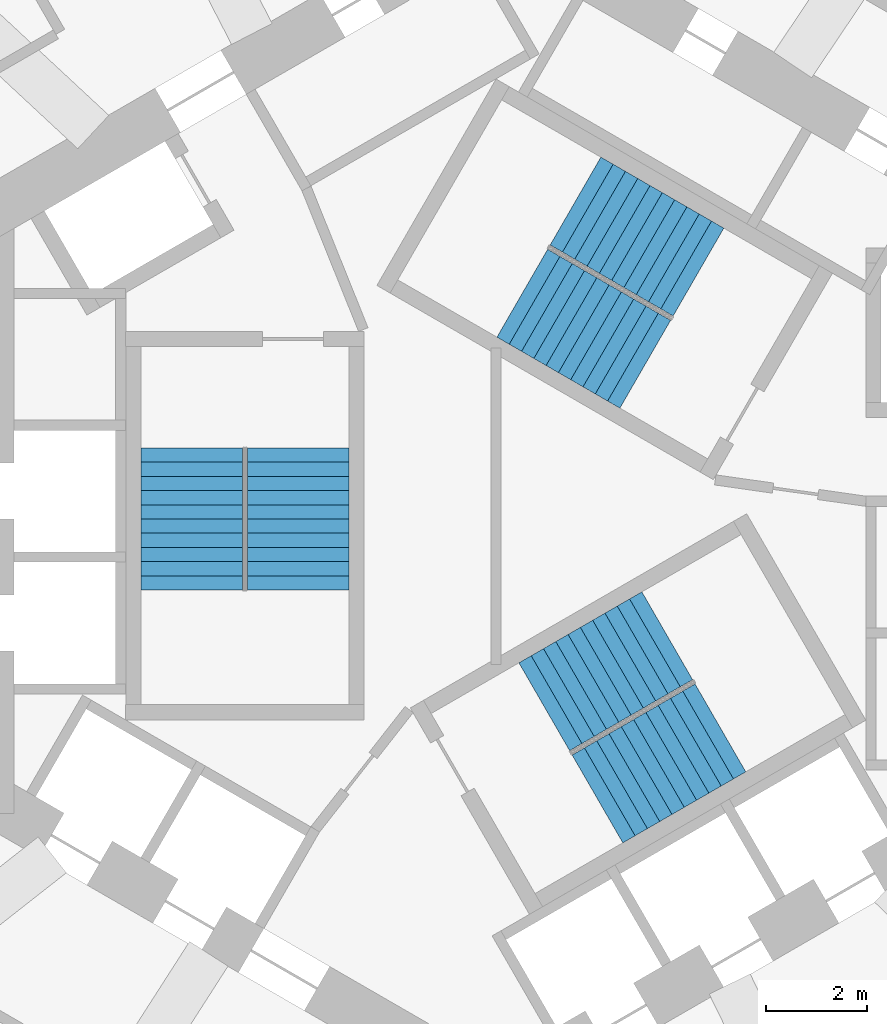
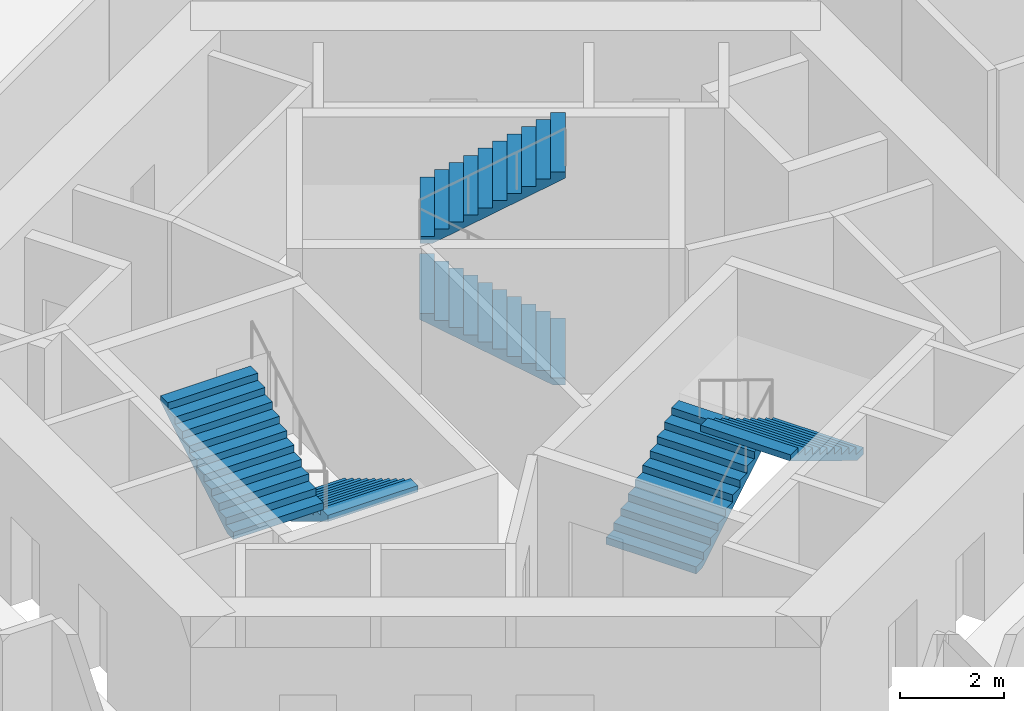
# One storey, part 8 of 10: 6 stair flights, 3 elements without a shape of their own.
"""IFC4 building model written with IfcOpenShell, lengths in metres."""

from ifc_helpers import new_model, si_unit, direction, frame, origin, place, context, subcontext, project, spatial, triangles, source, transform, mapped, material, type_object, element, aggregate, save


model = new_model("IFC4")

# Units and contexts
model_context = context("Model", 3, precision=1e-05, world=origin(), true_north=direction((0.0, 1.0)))
body_context = subcontext(model_context, "Body", "Model", "MODEL_VIEW")
ifc_project = project(units=[si_unit("LENGTHUNIT", "METRE"), si_unit("AREAUNIT", "SQUARE_METRE"), si_unit("VOLUMEUNIT", "CUBIC_METRE"), si_unit("PLANEANGLEUNIT", "RADIAN"), si_unit("MASSUNIT", "GRAM", prefix="KILO")], contexts=[model_context])

# Site, building, storey
site_placement = place(None, origin())
site = spatial("IfcSite", under=ifc_project, at=site_placement, CompositionType="ELEMENT")
building_placement = place(site_placement, origin())
building = spatial("IfcBuilding", under=site, at=building_placement, Name="Vanh Sen Convention Tower", CompositionType="ELEMENT")
storey_placement = place(building_placement, frame((0.0, 0.0, 165.10009765625)))
storey = spatial("IfcBuildingStorey", under=building, at=storey_placement, Name="L40", CompositionType="ELEMENT", Elevation=165.10009765625)

# Stair, stair flights
ifc_material_1 = material(Name="Concrete C50/60", Category="concrete")
stair_type_1 = type_object("IfcStairType", Name="Exit stair ST1 22 risers at 168.2", PredefinedType="HALF_TURN_STAIR", material=ifc_material_1)
stair_1_placement = place(storey_placement, origin())
stair_1 = element("IfcStair", 1, at=stair_1_placement, inside=storey, type_object=stair_type_1, Name="Exit stair ST1 L40", PredefinedType="HALF_TURN_STAIR")
ifc_material_2 = material(Name="Concrete C40/50", Category="concrete")
stair_flight_type = type_object("IfcStairFlightType", Name="Stair flight 2000", PredefinedType="STRAIGHT", material=ifc_material_2)
shared_shape = source(origin(), body_context, "Body", "Tessellation", [
    triangles([(0.24267578125, 1.0, 0.0), (0.0, 1.0, 0.0), (0.0, 1.0, 0.168212890625), (0.280029296875, 1.0, 0.168212890625), (0.280029296875, 1.0, 0.33642578125), (0.56005859375, 1.0, 0.33642578125), (0.56005859375, 1.0, 0.504638671875), (0.840087890625, 1.0, 0.504638671875), (0.840087890625, 1.0, 0.672607421875), (1.1201171875, 1.0, 0.672607421875), (1.1201171875, 1.0, 0.8408203125), (1.39990234375, 1.0, 0.8408203125), (1.39990234375, 1.0, 1.009033203125), (1.679931640625, 1.0, 1.009033203125), (1.679931640625, 1.0, 1.17724609375), (1.9599609375, 1.0, 1.17724609375), (1.9599609375, 1.0, 1.345458984375), (2.239990234375, 1.0, 1.345458984375), (2.239990234375, 1.0, 1.513671875), (2.52001953125, 1.0, 1.513671875), (2.52001953125, 1.0, 1.681884765625), (2.800048828125, 1.0, 1.681884765625), (2.800048828125, 1.0, 1.535888671875), (0.24267578125, -1.0, 0.0), (0.0, -1.0, 0.0), (0.0, -1.0, 0.168212890625), (0.280029296875, -1.0, 0.168212890625), (0.280029296875, -1.0, 0.33642578125), (0.56005859375, -1.0, 0.33642578125), (0.56005859375, -1.0, 0.504638671875), (0.840087890625, -1.0, 0.504638671875), (0.840087890625, -1.0, 0.672607421875), (1.1201171875, -1.0, 0.672607421875), (1.1201171875, -1.0, 0.8408203125), (1.39990234375, -1.0, 0.8408203125), (1.39990234375, -1.0, 1.009033203125), (1.679931640625, -1.0, 1.009033203125), (1.679931640625, -1.0, 1.17724609375), (1.9599609375, -1.0, 1.17724609375), (1.9599609375, -1.0, 1.345458984375), (2.239990234375, -1.0, 1.345458984375), (2.239990234375, -1.0, 1.513671875), (2.52001953125, -1.0, 1.513671875), (2.52001953125, -1.0, 1.681884765625), (2.800048828125, -1.0, 1.681884765625), (2.800048828125, -1.0, 1.535888671875), (0.0, 0.0400390625, 0.0), (0.0, 0.0390625, 0.0), (0.0, 0.0380859375, 0.0), (0.0, 0.037109375, 0.0), (0.0, 0.035888671875, 0.0), (0.0, 0.034912109375, 0.0), (0.0, 0.033935546875, 0.0), (0.0, 0.032958984375, 0.0), (0.0, 0.031982421875, 0.0), (0.0, 0.031005859375, 0.0), (0.0, 0.030029296875, 0.0), (0.0, 0.029052734375, 0.0), (0.0, 0.028076171875, 0.0), (0.0, 0.027099609375, 0.0), (0.0, 0.02587890625, 0.0), (0.0, 0.02490234375, 0.0), (0.0, 0.02392578125, 0.0), (0.0, 0.02294921875, 0.0), (0.0, 0.02197265625, 0.0), (0.0, 0.02099609375, 0.0), (0.0, 0.02001953125, 0.0), (0.0, 0.01904296875, 0.0), (0.0, 0.01806640625, 0.0), (0.0, 0.01708984375, 0.0), (0.0, 0.01611328125, 0.0), (0.0, 0.014892578125, 0.0), (0.0, 0.013916015625, 0.0), (0.0, 0.012939453125, 0.0), (0.0, 0.011962890625, 0.0), (0.0, 0.010986328125, 0.0), (0.0, 0.010009765625, 0.0), (0.0, 0.009033203125, 0.0), (0.0, 0.008056640625, 0.0), (0.0, 0.007080078125, 0.0), (0.0, 0.006103515625, 0.0), (0.0, 0.0048828125, 0.0), (0.0, 0.00390625, 0.0), (0.0, 0.0029296875, 0.0), (0.0, 0.001953125, 0.0), (0.0, 0.0009765625, 0.0), (0.0, 0.0, 0.0), (0.0, -0.0009765625, 0.0), (0.0, -0.001953125, 0.0), (0.0, -0.0029296875, 0.0), (0.0, -0.00390625, 0.0), (0.0, -0.0048828125, 0.0), (0.0, -0.006103515625, 0.0), (0.0, -0.007080078125, 0.0), (0.0, -0.008056640625, 0.0), (0.0, -0.009033203125, 0.0), (0.0, -0.010009765625, 0.0), (0.0, -0.010986328125, 0.0), (0.0, -0.011962890625, 0.0), (0.0, -0.012939453125, 0.0), (0.0, -0.013916015625, 0.0), (0.0, -0.014892578125, 0.0), (0.0, -0.01611328125, 0.0), (0.0, -0.01708984375, 0.0), (0.0, -0.01806640625, 0.0), (0.0, -0.01904296875, 0.0), (0.0, -0.02001953125, 0.0), (0.0, -0.02099609375, 0.0), (0.0, -0.02197265625, 0.0), (0.0, -0.02294921875, 0.0), (0.0, -0.02392578125, 0.0), (0.0, -0.02490234375, 0.0), (0.0, -0.02587890625, 0.0), (0.0, -0.027099609375, 0.0), (0.0, -0.028076171875, 0.0), (0.0, -0.029052734375, 0.0), (0.0, -0.030029296875, 0.0), (0.0, -0.031005859375, 0.0), (0.0, -0.031982421875, 0.0), (0.0, -0.032958984375, 0.0), (0.0, -0.033935546875, 0.0), (0.0, -0.034912109375, 0.0), (0.0, -0.035888671875, 0.0), (0.0, -0.037109375, 0.0), (0.0, -0.0380859375, 0.0), (0.0, -0.0390625, 0.0), (0.0, -0.0400390625, 0.0), (0.0, 0.0400390625, 0.168212890625), (0.0, 0.0390625, 0.168212890625), (0.0, 0.0380859375, 0.168212890625), (0.0, 0.037109375, 0.168212890625), (0.0, 0.035888671875, 0.168212890625), (0.0, 0.034912109375, 0.168212890625), (0.0, 0.033935546875, 0.168212890625), (0.0, 0.032958984375, 0.168212890625), (0.0, 0.031982421875, 0.168212890625), (0.0, 0.031005859375, 0.168212890625), (0.0, 0.030029296875, 0.168212890625), (0.0, 0.029052734375, 0.168212890625), (0.0, 0.028076171875, 0.168212890625), (0.0, 0.027099609375, 0.168212890625), (0.0, 0.02587890625, 0.168212890625), (0.0, 0.02490234375, 0.168212890625), (0.0, 0.02392578125, 0.168212890625), (0.0, 0.02294921875, 0.168212890625), (0.0, 0.02197265625, 0.168212890625), (0.0, 0.02099609375, 0.168212890625), (0.0, 0.02001953125, 0.168212890625), (0.0, 0.01904296875, 0.168212890625), (0.0, 0.01806640625, 0.168212890625), (0.0, 0.01708984375, 0.168212890625), (0.0, 0.01611328125, 0.168212890625), (0.0, 0.014892578125, 0.168212890625), (0.0, 0.013916015625, 0.168212890625), (0.0, 0.012939453125, 0.168212890625), (0.0, 0.011962890625, 0.168212890625), (0.0, 0.010986328125, 0.168212890625), (0.0, 0.010009765625, 0.168212890625), (0.0, 0.009033203125, 0.168212890625), (0.0, 0.008056640625, 0.168212890625), (0.0, 0.007080078125, 0.168212890625), (0.0, 0.006103515625, 0.168212890625), (0.0, 0.0048828125, 0.168212890625), (0.0, 0.00390625, 0.168212890625), (0.0, 0.0029296875, 0.168212890625), (0.0, 0.001953125, 0.168212890625), (0.0, 0.0009765625, 0.168212890625), (0.0, 0.0, 0.168212890625), (0.0, -0.0009765625, 0.168212890625), (0.0, -0.001953125, 0.168212890625), (0.0, -0.0029296875, 0.168212890625), (0.0, -0.00390625, 0.168212890625), (0.0, -0.0048828125, 0.168212890625), (0.0, -0.006103515625, 0.168212890625), (0.0, -0.007080078125, 0.168212890625), (0.0, -0.008056640625, 0.168212890625), (0.0, -0.009033203125, 0.168212890625), (0.0, -0.010009765625, 0.168212890625), (0.0, -0.010986328125, 0.168212890625), (0.0, -0.011962890625, 0.168212890625), (0.0, -0.012939453125, 0.168212890625), (0.0, -0.013916015625, 0.168212890625), (0.0, -0.014892578125, 0.168212890625), (0.0, -0.01611328125, 0.168212890625), (0.0, -0.01708984375, 0.168212890625), (0.0, -0.01806640625, 0.168212890625), (0.0, -0.01904296875, 0.168212890625), (0.0, -0.02001953125, 0.168212890625), (0.0, -0.02099609375, 0.168212890625), (0.0, -0.02197265625, 0.168212890625), (0.0, -0.02294921875, 0.168212890625), (0.0, -0.02392578125, 0.168212890625), (0.0, -0.02490234375, 0.168212890625), (0.0, -0.02587890625, 0.168212890625), (0.0, -0.027099609375, 0.168212890625), (0.0, -0.028076171875, 0.168212890625), (0.0, -0.029052734375, 0.168212890625), (0.0, -0.030029296875, 0.168212890625), (0.0, -0.031005859375, 0.168212890625), (0.0, -0.031982421875, 0.168212890625), (0.0, -0.032958984375, 0.168212890625), (0.0, -0.033935546875, 0.168212890625), (0.0, -0.034912109375, 0.168212890625), (0.0, -0.035888671875, 0.168212890625), (0.0, -0.037109375, 0.168212890625), (0.0, -0.0380859375, 0.168212890625), (0.0, -0.0390625, 0.168212890625), (0.0, -0.0400390625, 0.168212890625), (0.280029296875, 0.0, 0.168212890625), (0.280029296875, 0.0, 0.33642578125), (0.56005859375, 0.0, 0.33642578125), (0.56005859375, 0.0, 0.504638671875), (0.840087890625, 0.0, 0.504638671875), (0.840087890625, 0.0, 0.672607421875), (1.1201171875, 0.0, 0.672607421875), (1.1201171875, 0.0, 0.8408203125), (1.39990234375, 0.0, 0.8408203125), (1.39990234375, 0.0, 1.009033203125), (1.679931640625, 0.0, 1.009033203125), (1.679931640625, 0.0, 1.17724609375), (1.9599609375, 0.0, 1.17724609375), (1.9599609375, 0.0, 1.345458984375), (2.239990234375, 0.0, 1.345458984375), (2.239990234375, 0.0, 1.513671875), (2.52001953125, 0.0, 1.513671875), (2.52001953125, 0.0, 1.681884765625), (2.800048828125, 0.0400390625, 1.681884765625), (2.800048828125, 0.0390625, 1.681884765625), (2.800048828125, 0.0380859375, 1.681884765625), (2.800048828125, 0.037109375, 1.681884765625), (2.800048828125, 0.035888671875, 1.681884765625), (2.800048828125, 0.034912109375, 1.681884765625), (2.800048828125, 0.033935546875, 1.681884765625), (2.800048828125, 0.032958984375, 1.681884765625), (2.800048828125, 0.031982421875, 1.681884765625), (2.800048828125, 0.031005859375, 1.681884765625), (2.800048828125, 0.030029296875, 1.681884765625), (2.800048828125, 0.029052734375, 1.681884765625), (2.800048828125, 0.028076171875, 1.681884765625), (2.800048828125, 0.027099609375, 1.681884765625), (2.800048828125, 0.02587890625, 1.681884765625), (2.800048828125, 0.02490234375, 1.681884765625), (2.800048828125, 0.02392578125, 1.681884765625), (2.800048828125, 0.02294921875, 1.681884765625), (2.800048828125, 0.02197265625, 1.681884765625), (2.800048828125, 0.02099609375, 1.681884765625), (2.800048828125, 0.02001953125, 1.681884765625), (2.800048828125, 0.01904296875, 1.681884765625), (2.800048828125, 0.01806640625, 1.681884765625), (2.800048828125, 0.01708984375, 1.681884765625), (2.800048828125, 0.01611328125, 1.681884765625), (2.800048828125, 0.014892578125, 1.681884765625), (2.800048828125, 0.013916015625, 1.681884765625), (2.800048828125, 0.012939453125, 1.681884765625), (2.800048828125, 0.011962890625, 1.681884765625), (2.800048828125, 0.010986328125, 1.681884765625), (2.800048828125, 0.010009765625, 1.681884765625), (2.800048828125, 0.009033203125, 1.681884765625), (2.800048828125, 0.008056640625, 1.681884765625), (2.800048828125, 0.007080078125, 1.681884765625), (2.800048828125, 0.006103515625, 1.681884765625), (2.800048828125, 0.0048828125, 1.681884765625), (2.800048828125, 0.00390625, 1.681884765625), (2.800048828125, 0.0029296875, 1.681884765625), (2.800048828125, 0.001953125, 1.681884765625), (2.800048828125, 0.0009765625, 1.681884765625), (2.800048828125, 0.0, 1.681884765625), (2.800048828125, -0.0009765625, 1.681884765625), (2.800048828125, -0.001953125, 1.681884765625), (2.800048828125, -0.0029296875, 1.681884765625), (2.800048828125, -0.00390625, 1.681884765625), (2.800048828125, -0.0048828125, 1.681884765625), (2.800048828125, -0.006103515625, 1.681884765625), (2.800048828125, -0.007080078125, 1.681884765625), (2.800048828125, -0.008056640625, 1.681884765625), (2.800048828125, -0.009033203125, 1.681884765625), (2.800048828125, -0.010009765625, 1.681884765625), (2.800048828125, -0.010986328125, 1.681884765625), (2.800048828125, -0.011962890625, 1.681884765625), (2.800048828125, -0.012939453125, 1.681884765625), (2.800048828125, -0.013916015625, 1.681884765625), (2.800048828125, -0.014892578125, 1.681884765625), (2.800048828125, -0.01611328125, 1.681884765625), (2.800048828125, -0.01708984375, 1.681884765625), (2.800048828125, -0.01806640625, 1.681884765625), (2.800048828125, -0.01904296875, 1.681884765625), (2.800048828125, -0.02001953125, 1.681884765625), (2.800048828125, -0.02099609375, 1.681884765625), (2.800048828125, -0.02197265625, 1.681884765625), (2.800048828125, -0.02294921875, 1.681884765625), (2.800048828125, -0.02392578125, 1.681884765625), (2.800048828125, -0.02490234375, 1.681884765625), (2.800048828125, -0.02587890625, 1.681884765625), (2.800048828125, -0.027099609375, 1.681884765625), (2.800048828125, -0.028076171875, 1.681884765625), (2.800048828125, -0.029052734375, 1.681884765625), (2.800048828125, -0.030029296875, 1.681884765625), (2.800048828125, -0.031005859375, 1.681884765625), (2.800048828125, -0.031982421875, 1.681884765625), (2.800048828125, -0.032958984375, 1.681884765625), (2.800048828125, -0.033935546875, 1.681884765625), (2.800048828125, -0.034912109375, 1.681884765625), (2.800048828125, -0.035888671875, 1.681884765625), (2.800048828125, -0.037109375, 1.681884765625), (2.800048828125, -0.0380859375, 1.681884765625), (2.800048828125, -0.0390625, 1.681884765625), (2.800048828125, -0.0400390625, 1.681884765625), (2.800048828125, 0.0400390625, 1.535888671875), (2.800048828125, 0.0390625, 1.535888671875), (2.800048828125, 0.0380859375, 1.535888671875), (2.800048828125, 0.037109375, 1.535888671875), (2.800048828125, 0.035888671875, 1.535888671875), (2.800048828125, 0.034912109375, 1.535888671875), (2.800048828125, 0.033935546875, 1.535888671875), (2.800048828125, 0.032958984375, 1.535888671875), (2.800048828125, 0.031982421875, 1.535888671875), (2.800048828125, 0.031005859375, 1.535888671875), (2.800048828125, 0.030029296875, 1.535888671875), (2.800048828125, 0.029052734375, 1.535888671875), (2.800048828125, 0.028076171875, 1.535888671875), (2.800048828125, 0.027099609375, 1.535888671875), (2.800048828125, 0.02587890625, 1.535888671875), (2.800048828125, 0.02490234375, 1.535888671875), (2.800048828125, 0.02392578125, 1.535888671875), (2.800048828125, 0.02294921875, 1.535888671875), (2.800048828125, 0.02197265625, 1.535888671875), (2.800048828125, 0.02099609375, 1.535888671875), (2.800048828125, 0.02001953125, 1.535888671875), (2.800048828125, 0.01904296875, 1.535888671875), (2.800048828125, 0.01806640625, 1.535888671875), (2.800048828125, 0.01708984375, 1.535888671875), (2.800048828125, 0.01611328125, 1.535888671875), (2.800048828125, 0.014892578125, 1.535888671875), (2.800048828125, 0.013916015625, 1.535888671875), (2.800048828125, 0.012939453125, 1.535888671875), (2.800048828125, 0.011962890625, 1.535888671875), (2.800048828125, 0.010986328125, 1.535888671875), (2.800048828125, 0.010009765625, 1.535888671875), (2.800048828125, 0.009033203125, 1.535888671875), (2.800048828125, 0.008056640625, 1.535888671875), (2.800048828125, 0.007080078125, 1.535888671875), (2.800048828125, 0.006103515625, 1.535888671875), (2.800048828125, 0.0048828125, 1.535888671875), (2.800048828125, 0.00390625, 1.535888671875), (2.800048828125, 0.0029296875, 1.535888671875), (2.800048828125, 0.001953125, 1.535888671875), (2.800048828125, 0.0009765625, 1.535888671875), (2.800048828125, 0.0, 1.535888671875), (2.800048828125, -0.0009765625, 1.535888671875), (2.800048828125, -0.001953125, 1.535888671875), (2.800048828125, -0.0029296875, 1.535888671875), (2.800048828125, -0.00390625, 1.535888671875), (2.800048828125, -0.0048828125, 1.535888671875), (2.800048828125, -0.006103515625, 1.535888671875), (2.800048828125, -0.007080078125, 1.535888671875), (2.800048828125, -0.008056640625, 1.535888671875), (2.800048828125, -0.009033203125, 1.535888671875), (2.800048828125, -0.010009765625, 1.535888671875), (2.800048828125, -0.010986328125, 1.535888671875), (2.800048828125, -0.011962890625, 1.535888671875), (2.800048828125, -0.012939453125, 1.535888671875), (2.800048828125, -0.013916015625, 1.535888671875), (2.800048828125, -0.014892578125, 1.535888671875), (2.800048828125, -0.01611328125, 1.535888671875), (2.800048828125, -0.01708984375, 1.535888671875), (2.800048828125, -0.01806640625, 1.535888671875), (2.800048828125, -0.01904296875, 1.535888671875), (2.800048828125, -0.02001953125, 1.535888671875), (2.800048828125, -0.02099609375, 1.535888671875), (2.800048828125, -0.02197265625, 1.535888671875), (2.800048828125, -0.02294921875, 1.535888671875), (2.800048828125, -0.02392578125, 1.535888671875), (2.800048828125, -0.02490234375, 1.535888671875), (2.800048828125, -0.02587890625, 1.535888671875), (2.800048828125, -0.027099609375, 1.535888671875), (2.800048828125, -0.028076171875, 1.535888671875), (2.800048828125, -0.029052734375, 1.535888671875), (2.800048828125, -0.030029296875, 1.535888671875), (2.800048828125, -0.031005859375, 1.535888671875), (2.800048828125, -0.031982421875, 1.535888671875), (2.800048828125, -0.032958984375, 1.535888671875), (2.800048828125, -0.033935546875, 1.535888671875), (2.800048828125, -0.034912109375, 1.535888671875), (2.800048828125, -0.035888671875, 1.535888671875), (2.800048828125, -0.037109375, 1.535888671875), (2.800048828125, -0.0380859375, 1.535888671875), (2.800048828125, -0.0390625, 1.535888671875), (2.800048828125, -0.0400390625, 1.535888671875), (0.24267578125, 0.0, 0.0)], [[1, 2, 3], [1, 3, 4], [4, 5, 6], [1, 4, 6], [6, 7, 8], [1, 6, 8], [8, 9, 10], [1, 8, 10], [10, 11, 12], [1, 10, 12], [12, 13, 14], [1, 12, 14], [14, 15, 16], [1, 14, 16], [16, 17, 18], [1, 16, 18], [18, 19, 20], [1, 18, 20], [20, 21, 22], [1, 20, 22], [22, 23, 1], [24, 26, 25], [24, 27, 26], [27, 29, 28], [24, 29, 27], [29, 31, 30], [24, 31, 29], [31, 33, 32], [24, 33, 31], [33, 35, 34], [24, 35, 33], [35, 37, 36], [24, 37, 35], [37, 39, 38], [24, 39, 37], [39, 41, 40], [24, 41, 39], [41, 43, 42], [24, 43, 41], [43, 45, 44], [24, 45, 43], [45, 24, 46], [2, 128, 3], [2, 47, 128], [47, 129, 128], [47, 48, 129], [48, 130, 129], [48, 49, 130], [49, 131, 130], [49, 50, 131], [50, 132, 131], [50, 51, 132], [51, 133, 132], [51, 52, 133], [52, 134, 133], [52, 53, 134], [53, 135, 134], [53, 54, 135], [54, 136, 135], [54, 55, 136], [55, 137, 136], [55, 56, 137], [56, 138, 137], [56, 57, 138], [57, 139, 138], [57, 58, 139], [58, 140, 139], [58, 59, 140], [59, 141, 140], [59, 60, 141], [60, 142, 141], [60, 61, 142], [61, 143, 142], [61, 62, 143], [62, 144, 143], [62, 63, 144], [63, 145, 144], [63, 64, 145], [64, 146, 145], [64, 65, 146], [65, 147, 146], [65, 66, 147], [66, 148, 147], [66, 67, 148], [67, 149, 148], [67, 68, 149], [68, 150, 149], [68, 69, 150], [69, 151, 150], [69, 70, 151], [70, 152, 151], [70, 71, 152], [71, 153, 152], [71, 72, 153], [72, 154, 153], [72, 73, 154], [73, 155, 154], [73, 74, 155], [74, 156, 155], [74, 75, 156], [75, 157, 156], [75, 76, 157], [76, 158, 157], [76, 77, 158], [77, 159, 158], [77, 78, 159], [78, 160, 159], [78, 79, 160], [79, 161, 160], [79, 80, 161], [80, 162, 161], [80, 81, 162], [81, 163, 162], [81, 82, 163], [82, 164, 163], [82, 83, 164], [83, 165, 164], [83, 84, 165], [84, 166, 165], [84, 85, 166], [85, 167, 166], [85, 86, 167], [86, 168, 167], [86, 87, 168], [87, 88, 168], [168, 88, 169], [88, 89, 169], [169, 89, 170], [89, 90, 170], [170, 90, 171], [90, 91, 171], [171, 91, 172], [91, 92, 172], [172, 92, 173], [92, 93, 173], [173, 93, 174], [93, 94, 174], [174, 94, 175], [94, 95, 175], [175, 95, 176], [95, 96, 176], [176, 96, 177], [96, 97, 177], [177, 97, 178], [97, 98, 178], [178, 98, 179], [98, 99, 179], [179, 99, 180], [99, 100, 180], [180, 100, 181], [100, 101, 181], [181, 101, 182], [101, 102, 182], [182, 102, 183], [102, 103, 183], [183, 103, 184], [103, 104, 184], [184, 104, 185], [104, 105, 185], [185, 105, 186], [105, 106, 186], [186, 106, 187], [106, 107, 187], [187, 107, 188], [107, 108, 188], [188, 108, 189], [108, 109, 189], [189, 109, 190], [109, 110, 190], [190, 110, 191], [110, 111, 191], [191, 111, 192], [111, 112, 192], [192, 112, 193], [112, 113, 193], [193, 113, 194], [113, 114, 194], [194, 114, 195], [114, 115, 195], [195, 115, 196], [115, 116, 196], [196, 116, 197], [116, 117, 197], [197, 117, 198], [117, 118, 198], [198, 118, 199], [118, 119, 199], [199, 119, 200], [119, 120, 200], [200, 120, 201], [120, 121, 201], [201, 121, 202], [121, 122, 202], [202, 122, 203], [122, 123, 203], [203, 123, 204], [123, 124, 204], [204, 124, 205], [124, 125, 205], [205, 125, 206], [125, 126, 206], [206, 126, 207], [126, 127, 207], [207, 127, 208], [127, 25, 208], [208, 25, 26], [4, 3, 128], [4, 128, 129], [4, 129, 130], [4, 130, 131], [4, 131, 132], [4, 132, 133], [4, 133, 134], [4, 134, 135], [4, 135, 136], [4, 136, 137], [4, 137, 138], [4, 138, 139], [4, 139, 140], [4, 140, 141], [4, 141, 142], [4, 142, 143], [4, 143, 144], [4, 144, 145], [4, 145, 146], [4, 146, 147], [4, 147, 148], [4, 148, 149], [4, 149, 150], [4, 150, 151], [4, 151, 152], [4, 152, 153], [4, 153, 154], [4, 154, 155], [4, 155, 156], [4, 156, 157], [4, 157, 158], [4, 158, 159], [4, 159, 160], [4, 160, 161], [4, 161, 162], [4, 162, 163], [4, 163, 164], [4, 164, 165], [4, 165, 166], [4, 166, 167], [4, 167, 168], [27, 168, 169], [27, 169, 170], [27, 170, 171], [27, 171, 172], [27, 172, 173], [27, 173, 174], [27, 174, 175], [27, 175, 176], [27, 176, 177], [27, 177, 178], [27, 178, 179], [27, 179, 180], [27, 180, 181], [27, 181, 182], [27, 182, 183], [27, 183, 184], [27, 184, 185], [27, 185, 186], [27, 186, 187], [27, 187, 188], [27, 188, 189], [27, 189, 190], [27, 190, 191], [27, 191, 192], [27, 192, 193], [27, 193, 194], [27, 194, 195], [27, 195, 196], [27, 196, 197], [27, 197, 198], [27, 198, 199], [27, 199, 200], [27, 200, 201], [27, 201, 202], [27, 202, 203], [27, 203, 204], [27, 204, 205], [27, 205, 206], [27, 206, 207], [27, 207, 208], [27, 208, 26], [4, 168, 209], [27, 209, 168], [4, 210, 5], [4, 209, 210], [209, 27, 210], [210, 27, 28], [5, 211, 6], [5, 210, 211], [210, 28, 211], [211, 28, 29], [6, 212, 7], [6, 211, 212], [211, 29, 212], [212, 29, 30], [7, 213, 8], [7, 212, 213], [212, 30, 213], [213, 30, 31], [8, 214, 9], [8, 213, 214], [213, 31, 214], [214, 31, 32], [9, 215, 10], [9, 214, 215], [214, 32, 215], [215, 32, 33], [10, 216, 11], [10, 215, 216], [215, 33, 216], [216, 33, 34], [11, 217, 12], [11, 216, 217], [216, 34, 217], [217, 34, 35], [12, 218, 13], [12, 217, 218], [217, 35, 218], [218, 35, 36], [13, 219, 14], [13, 218, 219], [218, 36, 219], [219, 36, 37], [14, 220, 15], [14, 219, 220], [219, 37, 220], [220, 37, 38], [15, 221, 16], [15, 220, 221], [220, 38, 221], [221, 38, 39], [16, 222, 17], [16, 221, 222], [221, 39, 222], [222, 39, 40], [17, 223, 18], [17, 222, 223], [222, 40, 223], [223, 40, 41], [18, 224, 19], [18, 223, 224], [223, 41, 224], [224, 41, 42], [19, 225, 20], [19, 224, 225], [224, 42, 225], [225, 42, 43], [20, 226, 21], [20, 225, 226], [225, 43, 226], [226, 43, 44], [21, 227, 22], [21, 228, 227], [21, 229, 228], [21, 230, 229], [21, 231, 230], [21, 232, 231], [21, 233, 232], [21, 234, 233], [21, 235, 234], [21, 236, 235], [21, 237, 236], [21, 238, 237], [21, 239, 238], [21, 240, 239], [21, 241, 240], [21, 242, 241], [21, 243, 242], [21, 244, 243], [21, 245, 244], [21, 246, 245], [21, 247, 246], [21, 248, 247], [21, 249, 248], [21, 250, 249], [21, 251, 250], [21, 252, 251], [21, 253, 252], [21, 254, 253], [21, 255, 254], [21, 256, 255], [21, 257, 256], [21, 258, 257], [21, 259, 258], [21, 260, 259], [21, 261, 260], [21, 262, 261], [21, 263, 262], [21, 264, 263], [21, 265, 264], [21, 266, 265], [21, 267, 266], [44, 268, 267], [44, 269, 268], [44, 270, 269], [44, 271, 270], [44, 272, 271], [44, 273, 272], [44, 274, 273], [44, 275, 274], [44, 276, 275], [44, 277, 276], [44, 278, 277], [44, 279, 278], [44, 280, 279], [44, 281, 280], [44, 282, 281], [44, 283, 282], [44, 284, 283], [44, 285, 284], [44, 286, 285], [44, 287, 286], [44, 288, 287], [44, 289, 288], [44, 290, 289], [44, 291, 290], [44, 292, 291], [44, 293, 292], [44, 294, 293], [44, 295, 294], [44, 296, 295], [44, 297, 296], [44, 298, 297], [44, 299, 298], [44, 300, 299], [44, 301, 300], [44, 302, 301], [44, 303, 302], [44, 304, 303], [44, 305, 304], [44, 306, 305], [44, 307, 306], [44, 45, 307], [21, 226, 267], [44, 267, 226], [22, 308, 23], [22, 227, 308], [227, 309, 308], [227, 228, 309], [228, 310, 309], [228, 229, 310], [229, 311, 310], [229, 230, 311], [230, 312, 311], [230, 231, 312], [231, 313, 312], [231, 232, 313], [232, 314, 313], [232, 233, 314], [233, 315, 314], [233, 234, 315], [234, 316, 315], [234, 235, 316], [235, 317, 316], [235, 236, 317], [236, 318, 317], [236, 237, 318], [237, 319, 318], [237, 238, 319], [238, 320, 319], [238, 239, 320], [239, 321, 320], [239, 240, 321], [240, 322, 321], [240, 241, 322], [241, 323, 322], [241, 242, 323], [242, 324, 323], [242, 243, 324], [243, 325, 324], [243, 244, 325], [244, 326, 325], [244, 245, 326], [245, 327, 326], [245, 246, 327], [246, 328, 327], [246, 247, 328], [247, 329, 328], [247, 248, 329], [248, 330, 329], [248, 249, 330], [249, 331, 330], [249, 250, 331], [250, 332, 331], [250, 251, 332], [251, 333, 332], [251, 252, 333], [252, 334, 333], [252, 253, 334], [253, 335, 334], [253, 254, 335], [254, 336, 335], [254, 255, 336], [255, 337, 336], [255, 256, 337], [256, 338, 337], [256, 257, 338], [257, 339, 338], [257, 258, 339], [258, 340, 339], [258, 259, 340], [259, 341, 340], [259, 260, 341], [260, 342, 341], [260, 261, 342], [261, 343, 342], [261, 262, 343], [262, 344, 343], [262, 263, 344], [263, 345, 344], [263, 264, 345], [264, 346, 345], [264, 265, 346], [265, 347, 346], [265, 266, 347], [266, 348, 347], [266, 267, 348], [267, 268, 348], [348, 268, 349], [268, 269, 349], [349, 269, 350], [269, 270, 350], [350, 270, 351], [270, 271, 351], [351, 271, 352], [271, 272, 352], [352, 272, 353], [272, 273, 353], [353, 273, 354], [273, 274, 354], [354, 274, 355], [274, 275, 355], [355, 275, 356], [275, 276, 356], [356, 276, 357], [276, 277, 357], [357, 277, 358], [277, 278, 358], [358, 278, 359], [278, 279, 359], [359, 279, 360], [279, 280, 360], [360, 280, 361], [280, 281, 361], [361, 281, 362], [281, 282, 362], [362, 282, 363], [282, 283, 363], [363, 283, 364], [283, 284, 364], [364, 284, 365], [284, 285, 365], [365, 285, 366], [285, 286, 366], [366, 286, 367], [286, 287, 367], [367, 287, 368], [287, 288, 368], [368, 288, 369], [288, 289, 369], [369, 289, 370], [289, 290, 370], [370, 290, 371], [290, 291, 371], [371, 291, 372], [291, 292, 372], [372, 292, 373], [292, 293, 373], [373, 293, 374], [293, 294, 374], [374, 294, 375], [294, 295, 375], [375, 295, 376], [295, 296, 376], [376, 296, 377], [296, 297, 377], [377, 297, 378], [297, 298, 378], [378, 298, 379], [298, 299, 379], [379, 299, 380], [299, 300, 380], [380, 300, 381], [300, 301, 381], [381, 301, 382], [301, 302, 382], [382, 302, 383], [302, 303, 383], [383, 303, 384], [303, 304, 384], [384, 304, 385], [304, 305, 385], [385, 305, 386], [305, 306, 386], [386, 306, 387], [306, 307, 387], [387, 307, 388], [307, 45, 388], [388, 45, 46], [1, 23, 308], [1, 308, 309], [1, 309, 310], [1, 310, 311], [1, 311, 312], [1, 312, 313], [1, 313, 314], [1, 314, 315], [1, 315, 316], [1, 316, 317], [1, 317, 318], [1, 318, 319], [1, 319, 320], [1, 320, 321], [1, 321, 322], [1, 322, 323], [1, 323, 324], [1, 324, 325], [1, 325, 326], [1, 326, 327], [1, 327, 328], [1, 328, 329], [1, 329, 330], [1, 330, 331], [1, 331, 332], [1, 332, 333], [1, 333, 334], [1, 334, 335], [1, 335, 336], [1, 336, 337], [1, 337, 338], [1, 338, 339], [1, 339, 340], [1, 340, 341], [1, 341, 342], [1, 342, 343], [1, 343, 344], [1, 344, 345], [1, 345, 346], [1, 346, 347], [1, 347, 348], [24, 348, 349], [24, 349, 350], [24, 350, 351], [24, 351, 352], [24, 352, 353], [24, 353, 354], [24, 354, 355], [24, 355, 356], [24, 356, 357], [24, 357, 358], [24, 358, 359], [24, 359, 360], [24, 360, 361], [24, 361, 362], [24, 362, 363], [24, 363, 364], [24, 364, 365], [24, 365, 366], [24, 366, 367], [24, 367, 368], [24, 368, 369], [24, 369, 370], [24, 370, 371], [24, 371, 372], [24, 372, 373], [24, 373, 374], [24, 374, 375], [24, 375, 376], [24, 376, 377], [24, 377, 378], [24, 378, 379], [24, 379, 380], [24, 380, 381], [24, 381, 382], [24, 382, 383], [24, 383, 384], [24, 384, 385], [24, 385, 386], [24, 386, 387], [24, 387, 388], [24, 388, 46], [1, 348, 389], [24, 389, 348], [1, 47, 2], [1, 48, 47], [1, 49, 48], [1, 50, 49], [1, 51, 50], [1, 52, 51], [1, 53, 52], [1, 54, 53], [1, 55, 54], [1, 56, 55], [1, 57, 56], [1, 58, 57], [1, 59, 58], [1, 60, 59], [1, 61, 60], [1, 62, 61], [1, 63, 62], [1, 64, 63], [1, 65, 64], [1, 66, 65], [1, 67, 66], [1, 68, 67], [1, 69, 68], [1, 70, 69], [1, 71, 70], [1, 72, 71], [1, 73, 72], [1, 74, 73], [1, 75, 74], [1, 76, 75], [1, 77, 76], [1, 78, 77], [1, 79, 78], [1, 80, 79], [1, 81, 80], [1, 82, 81], [1, 83, 82], [1, 84, 83], [1, 85, 84], [1, 86, 85], [1, 87, 86], [24, 88, 87], [24, 89, 88], [24, 90, 89], [24, 91, 90], [24, 92, 91], [24, 93, 92], [24, 94, 93], [24, 95, 94], [24, 96, 95], [24, 97, 96], [24, 98, 97], [24, 99, 98], [24, 100, 99], [24, 101, 100], [24, 102, 101], [24, 103, 102], [24, 104, 103], [24, 105, 104], [24, 106, 105], [24, 107, 106], [24, 108, 107], [24, 109, 108], [24, 110, 109], [24, 111, 110], [24, 112, 111], [24, 113, 112], [24, 114, 113], [24, 115, 114], [24, 116, 115], [24, 117, 116], [24, 118, 117], [24, 119, 118], [24, 120, 119], [24, 121, 120], [24, 122, 121], [24, 123, 122], [24, 124, 123], [24, 125, 124], [24, 126, 125], [24, 127, 126], [24, 25, 127], [1, 389, 87], [24, 87, 389]], closed=True),
])
stair_flight_1_placement = place(storey_placement, frame((2.94580078125, 2.802490234375, 0.0), z_axis=(0.0, 0.0, 1.0), x_axis=(-0.866025403784, 0.5, 0.0)))
stair_flight_1 = element("IfcStairFlight", 2, at=stair_flight_1_placement, type_object=stair_flight_type, Name="ST1 flight 1", NumberOfRisers=11, NumberOfTreads=10, PredefinedType="STRAIGHT", RiserHeight=0.168181818, TreadLength=0.28, context=body_context, shape_type="MappedRepresentation", body=[
    mapped(shared_shape, transform((0.0, 0.0, 0.0))),
])
stair_flight_2_placement = place(storey_placement, frame((1.571044921875, 6.021240234375, 1.849853515625), z_axis=(0.0, 0.0, 1.0), x_axis=(0.866025403784, -0.5, 0.0)))
stair_flight_2 = element("IfcStairFlight", 3, at=stair_flight_2_placement, type_object=stair_flight_type, Name="ST1 flight 2", NumberOfRisers=11, NumberOfTreads=10, PredefinedType="STRAIGHT", RiserHeight=0.168181818, TreadLength=0.28, context=body_context, shape_type="MappedRepresentation", body=[
    mapped(shared_shape, transform((0.0, 0.0, 0.0))),
])
aggregate(stair_1, [stair_flight_1, stair_flight_2])

stair_type_2 = type_object("IfcStairType", Name="Exit stair ST2 22 risers at 168.2", PredefinedType="HALF_TURN_STAIR", material=ifc_material_1)
stair_2_placement = place(storey_placement, origin())
stair_2 = element("IfcStair", 4, at=stair_2_placement, inside=storey, type_object=stair_type_2, Name="Exit stair ST2 L40", PredefinedType="HALF_TURN_STAIR")
stair_flight_3_placement = place(storey_placement, frame((-3.89990234375, 1.14990234375, 0.0), z_axis=(0.0, 0.0, 1.0), x_axis=(0.0, -1.0, 0.0)))
stair_flight_3 = element("IfcStairFlight", 5, at=stair_flight_3_placement, type_object=stair_flight_type, Name="ST2 flight 1", NumberOfRisers=11, NumberOfTreads=10, PredefinedType="STRAIGHT", RiserHeight=0.168181818, TreadLength=0.28, context=body_context, shape_type="MappedRepresentation", body=[
    mapped(shared_shape, transform((0.0, 0.0, 0.0))),
])
stair_flight_4_placement = place(storey_placement, frame((-6.0, -1.64990234375, 1.849853515625), z_axis=(0.0, 0.0, 1.0), x_axis=(0.0, 1.0, 0.0)))
stair_flight_4 = element("IfcStairFlight", 6, at=stair_flight_4_placement, type_object=stair_flight_type, Name="ST2 flight 2", NumberOfRisers=11, NumberOfTreads=10, PredefinedType="STRAIGHT", RiserHeight=0.168181818, TreadLength=0.28, context=body_context, shape_type="MappedRepresentation", body=[
    mapped(shared_shape, transform((0.0, 0.0, 0.0))),
])
aggregate(stair_2, [stair_flight_3, stair_flight_4])

stair_type_3 = type_object("IfcStairType", Name="Exit stair ST3 22 risers at 168.2", PredefinedType="HALF_TURN_STAIR", material=ifc_material_1)
stair_3_placement = place(storey_placement, origin())
stair_3 = element("IfcStair", 7, at=stair_3_placement, inside=storey, type_object=stair_type_3, Name="Exit stair ST3 L40", PredefinedType="HALF_TURN_STAIR")
stair_flight_5_placement = place(storey_placement, frame((0.9541015625, -3.952392578125, 0.0), z_axis=(0.0, 0.0, 1.0), x_axis=(0.866025403784, 0.5, 0.0)))
stair_flight_5 = element("IfcStairFlight", 8, at=stair_flight_5_placement, type_object=stair_flight_type, Name="ST3 flight 1", NumberOfRisers=11, NumberOfTreads=10, PredefinedType="STRAIGHT", RiserHeight=0.168181818, TreadLength=0.28, context=body_context, shape_type="MappedRepresentation", body=[
    mapped(shared_shape, transform((0.0, 0.0, 0.0))),
])
stair_flight_6_placement = place(storey_placement, frame((4.428955078125, -4.37109375, 1.849853515625), z_axis=(0.0, 0.0, 1.0), x_axis=(-0.866025403784, -0.5, 0.0)))
stair_flight_6 = element("IfcStairFlight", 9, at=stair_flight_6_placement, type_object=stair_flight_type, Name="ST3 flight 2", NumberOfRisers=11, NumberOfTreads=10, PredefinedType="STRAIGHT", RiserHeight=0.168181818, TreadLength=0.28, context=body_context, shape_type="MappedRepresentation", body=[
    mapped(shared_shape, transform((0.0, 0.0, 0.0))),
])
aggregate(stair_3, [stair_flight_5, stair_flight_6])

save(model, "model.ifc")
